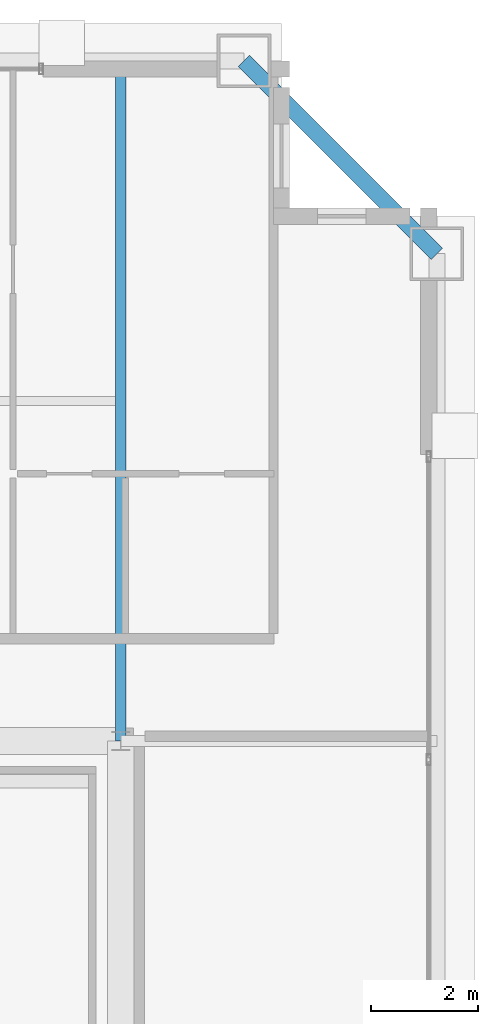
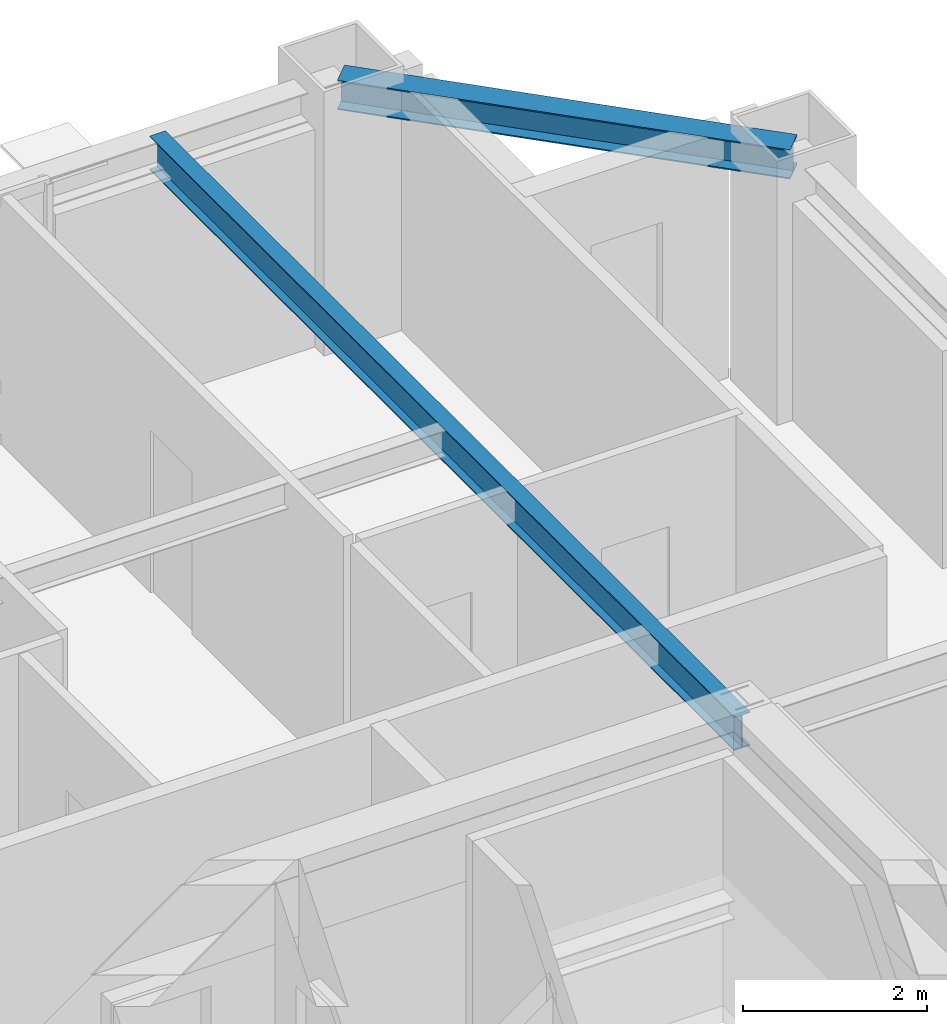
# One storey, part 20 of 35: 2 beams.
"""IFC4 building model written with IfcOpenShell, lengths in metres."""

from ifc_helpers import new_model, si_unit, direction, frame, origin, origin_2d, place, context, subcontext, project, spatial, i_section, extrude, source, transform, mapped, material, material_profile, profile_set, type_object, element, save


model = new_model("IFC4")

# Units and contexts
model_context = context("Model", 3, precision=1e-05, world=origin(), true_north=direction((0.0, 1.0)))
body_context = subcontext(model_context, "Body", "Model", "MODEL_VIEW")
ifc_project = project(units=[si_unit("LENGTHUNIT", "METRE"), si_unit("AREAUNIT", "SQUARE_METRE"), si_unit("VOLUMEUNIT", "CUBIC_METRE"), si_unit("PLANEANGLEUNIT", "RADIAN"), si_unit("MASSUNIT", "GRAM", prefix="KILO"), si_unit("THERMODYNAMICTEMPERATUREUNIT", "KELVIN"), si_unit("POWERUNIT", "WATT")], contexts=[model_context])

# Site, building, storey
site_placement = place(None, origin())
site = spatial("IfcSite", under=ifc_project, at=site_placement, CompositionType="ELEMENT")
building_placement = place(site_placement, origin())
building = spatial("IfcBuilding", under=site, at=building_placement, Name="Yuzanri Waterfront Tower", CompositionType="ELEMENT")
storey_placement = place(building_placement, frame((0.0, 0.0, 332.199951171875)))
storey = spatial("IfcBuildingStorey", under=building, at=storey_placement, Name="L89", CompositionType="ELEMENT", Elevation=332.199951171875)

# Beams
ifc_material_1 = material(Name="Steel Q355B", Category="steel")
ifc_material_profile_1 = material_profile(ifc_material_1, i_section(OverallWidth=0.300048828125, OverallDepth=0.389892578125, WebThickness=0.010009765625, FlangeThickness=0.01611328125, at=origin_2d()), Name="HM 390x300x10x16")
ifc_profile_set_1 = profile_set([ifc_material_profile_1], Name="Steel Q355B")
beam_type_1 = type_object("IfcBeamType", Name="Perimeter Spandrel Q355B HM 390x300", PredefinedType="SPANDREL", material=ifc_profile_set_1)
shared_shape_1 = source(origin(), body_context, "Body", "SweptSolid", [
    extrude(i_section(OverallWidth=0.300048828125, OverallDepth=0.389892578125, WebThickness=0.010009765625, FlangeThickness=0.01611328125, at=origin_2d()), origin(), (0.0, 0.0, 1.0), 5.091064453125),
])
beam_1_placement = place(storey_placement, frame((56.10009765625, 41.300048828125, 3.0849609375), z_axis=(-0.707130757816, 0.707082803744, 0.0), x_axis=(-0.707082803744, -0.707130757816, 0.0)))
element("IfcBeam", 1, at=beam_1_placement, inside=storey, type_object=beam_type_1, Name="L89 Perimeter Spandrel E3-N3", PredefinedType="SPANDREL", context=body_context, shape_type="MappedRepresentation", body=[
    mapped(shared_shape_1, transform((0.0, 0.0, 0.0), scale=1.0)),
])
ifc_material_2 = material(Name="Steel Q355B", Category="steel")
ifc_material_profile_2 = material_profile(ifc_material_2, i_section(OverallWidth=0.199951171875, OverallDepth=0.449951171875, WebThickness=0.009033203125, FlangeThickness=0.013916015625, at=origin_2d()), Name="HN 450x200x9x14")
ifc_profile_set_2 = profile_set([ifc_material_profile_2], Name="Steel Q355B")
beam_type_2 = type_object("IfcBeamType", Name="Secondary Floor Beam Q355B HN 450x200", PredefinedType="BEAM", material=ifc_profile_set_2)
shared_shape_2 = source(origin(), body_context, "Body", "SweptSolid", [
    extrude(i_section(OverallWidth=0.199951171875, OverallDepth=0.449951171875, WebThickness=0.009033203125, FlangeThickness=0.013916015625, at=origin_2d()), origin(), (0.0, 0.0, 1.0), 12.699951171875),
])
beam_2_placement = place(storey_placement, frame((50.199951171875, 32.199951171875, 3.054931640625), z_axis=(0.0, 1.0, 0.0), x_axis=(-1.0, 0.0, 0.0)))
element("IfcBeam", 2, at=beam_2_placement, inside=storey, type_object=beam_type_2, Name="L89 North-East Core Line Beam", PredefinedType="BEAM", context=body_context, shape_type="MappedRepresentation", body=[
    mapped(shared_shape_2, transform((0.0, 0.0, 0.0), scale=1.0)),
])

save(model, "model.ifc")
